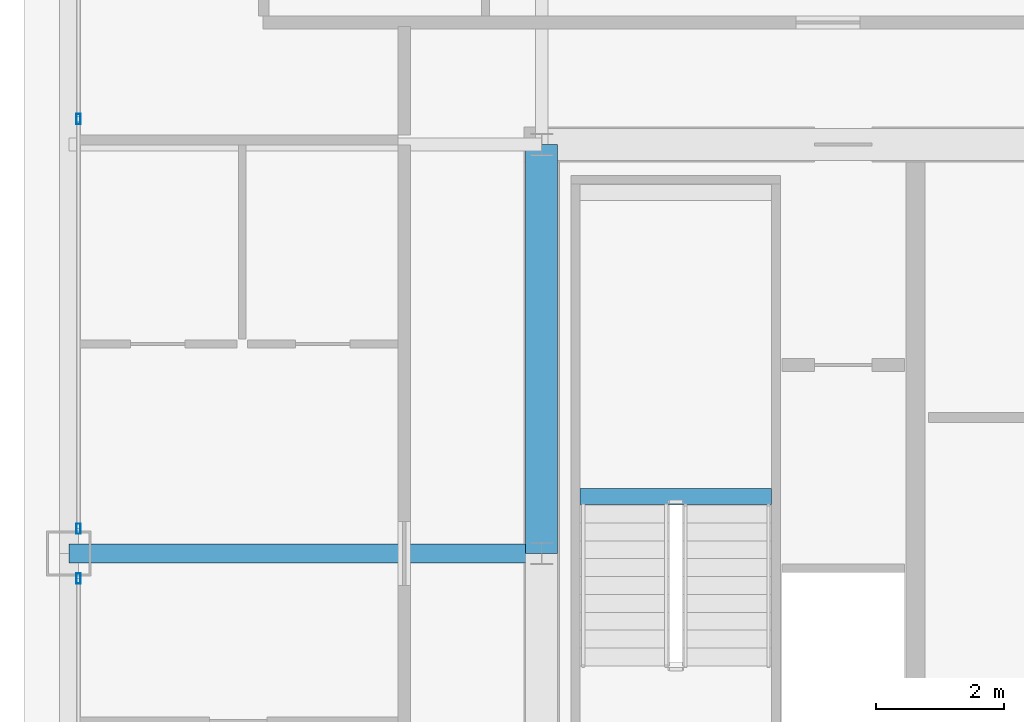
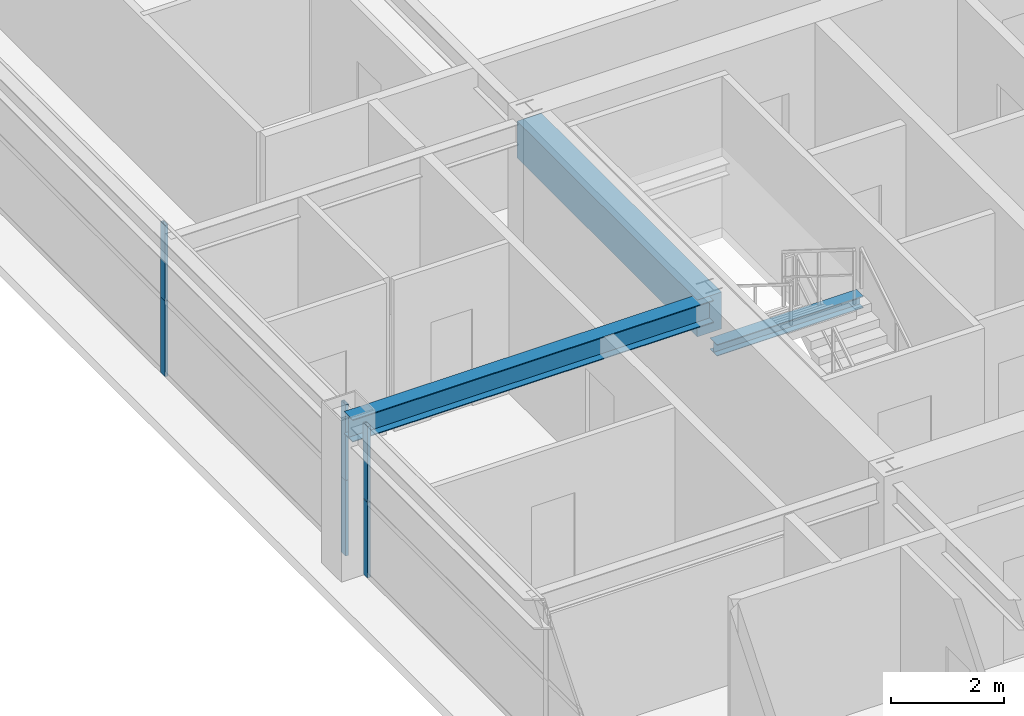
# One storey, part 12 of 35: 6 members, 3 beams, 2 elements without a shape of their own.
"""IFC4 building model written with IfcOpenShell, lengths in metres."""

import ifcopenshell
import ifcopenshell.guid

model = None  # the IFC model being written
_history = None  # IfcOwnerHistory: only IFC2X3 demands one
_inside = {}  # id of a spatial element -> (the spatial element, [elements in it])
_under = {}  # id of a project, library or spatial element -> (it, [spatial elements below it])
_declared = {}  # id of a project -> (the project, [libraries it declares])
_typed = {}  # id of a type object -> (the type object, [elements of that type])
_made_of = {}  # id of a material, layer set ... -> (it, [elements and type objects made of it])


def new_model(schema):
    """Start an empty IFC model of exactly this schema.

    Asked for "IFC4X3", IfcOpenShell would pick the latest addendum, in which some entities
    have other attributes; the version numbers below select the first issue.
    IFC2X3 requires an IfcOwnerHistory on every rooted entity: one is made here for all.
    """
    global model, _history
    if schema == "IFC4X3":
        model = ifcopenshell.file(schema_version=(4, 3, 0, 0))
    else:
        model = ifcopenshell.file(schema=schema)
    _inside.clear()
    _under.clear()
    _declared.clear()
    _typed.clear()
    _made_of.clear()
    _history = None
    if model.schema == "IFC2X3":
        org = make("IfcOrganization", Name="unknown")
        user = make(
            "IfcPersonAndOrganization",
            ThePerson=make("IfcPerson", FamilyName="unknown"),
            TheOrganization=org,
        )
        app = make(
            "IfcApplication",
            ApplicationDeveloper=org,
            Version="unknown",
            ApplicationFullName="unknown",
            ApplicationIdentifier="unknown",
        )
        _history = make(
            "IfcOwnerHistory",
            OwningUser=user,
            OwningApplication=app,
            ChangeAction="ADDED",
            CreationDate=0,
        )
    return model


def make(cls, **values):
    """One entity of the class cls with the attributes given. An attribute that is None is left unset."""
    return model.create_entity(
        cls, **{name: value for name, value in values.items() if value is not None}
    )


def rooted(cls, **values):
    """An entity with a GlobalId (a new one), such as an element, a storey or a relation."""
    return make(cls, GlobalId=ifcopenshell.guid.new(), OwnerHistory=_history, **values)


def si_unit(unit_type, name, prefix=None):
    """IfcSIUnit, for example si_unit("LENGTHUNIT", "METRE", prefix="MILLI")."""
    return make("IfcSIUnit", UnitType=unit_type, Prefix=prefix, Name=name)


def assignment(units):
    """IfcUnitAssignment: the units of a project."""
    return None if units is None else make("IfcUnitAssignment", Units=units)


def point(xyz):
    """IfcCartesianPoint."""
    return None if xyz is None else make("IfcCartesianPoint", Coordinates=xyz)


def direction(xyz):
    """IfcDirection."""
    return None if xyz is None else make("IfcDirection", DirectionRatios=xyz)


def frame(location, z_axis=None, x_axis=None):
    """IfcAxis2Placement3D, a coordinate frame: its origin and axes. An axis left out is left unset."""
    return make(
        "IfcAxis2Placement3D",
        Location=point(location),
        Axis=direction(z_axis),
        RefDirection=direction(x_axis),
    )


def frame_2d(location, x_axis=None):
    """IfcAxis2Placement2D, a coordinate frame in the plane: its origin and x axis."""
    return make(
        "IfcAxis2Placement2D", Location=point(location), RefDirection=direction(x_axis)
    )


def origin():
    """The frame at (0, 0, 0) with its axes left unset."""
    return frame((0.0, 0.0, 0.0))


def origin_2d():
    """The frame at (0, 0) in the plane with its x axis left unset."""
    return frame_2d((0.0, 0.0))


def place(relative_to, where):
    """IfcLocalPlacement: puts the frame where relative to a parent placement (None: the world)."""
    return make(
        "IfcLocalPlacement", PlacementRelTo=relative_to, RelativePlacement=where
    )


def context(
    kind, dimensions, precision=None, world=None, true_north=None, identifier=None
):
    """IfcGeometricRepresentationContext, for example the 3D "Model" context."""
    return make(
        "IfcGeometricRepresentationContext",
        ContextIdentifier=identifier,
        ContextType=kind,
        CoordinateSpaceDimension=dimensions,
        Precision=precision,
        WorldCoordinateSystem=world,
        TrueNorth=true_north,
    )


def subcontext(parent, identifier, kind, view, scale=None):
    """IfcGeometricRepresentationSubContext, for example "Body" below "Model"."""
    return make(
        "IfcGeometricRepresentationSubContext",
        ContextIdentifier=identifier,
        ContextType=kind,
        ParentContext=parent,
        TargetScale=scale,
        TargetView=view,
    )


def project(units=None, contexts=None):
    """IfcProject with its units and contexts."""
    return rooted(
        "IfcProject",
        Name="project",
        RepresentationContexts=contexts,
        UnitsInContext=assignment(units),
    )


def spatial(cls, under=None, at=None, **own):
    """A site, building, storey or space (cls), placed at a placement, below another one or the project."""
    s = rooted(cls, ObjectPlacement=at, **own)
    if under is not None:
        _under.setdefault(under.id(), (under, []))[1].append(s)
    return s


def profile(cls, at=None, kind="AREA", **sizes):
    """A parametric profile (cls). Its sizes go by their IFC names, for example OverallWidth=200.0."""
    return make(cls, ProfileType=kind, Position=at, **sizes)


def rectangle(**sizes):
    """IfcRectangleProfileDef."""
    return profile("IfcRectangleProfileDef", **sizes)


def hollow_rectangle(**sizes):
    """IfcRectangleHollowProfileDef."""
    return profile("IfcRectangleHollowProfileDef", **sizes)


def i_section(**sizes):
    """IfcIShapeProfileDef."""
    return profile("IfcIShapeProfileDef", **sizes)


def extrude(swept, where, along, depth):
    """IfcExtrudedAreaSolid: the profile swept, set in the frame where, extruded along a direction by depth."""
    return make(
        "IfcExtrudedAreaSolid",
        SweptArea=swept,
        Position=where,
        ExtrudedDirection=direction(along),
        Depth=depth,
    )


def shape(context_of_items, identifier, shape_type, items):
    """IfcShapeRepresentation: the items that make up one representation, for example the "Body"."""
    return make(
        "IfcShapeRepresentation",
        ContextOfItems=context_of_items,
        RepresentationIdentifier=identifier,
        RepresentationType=shape_type,
        Items=items,
    )


def source(mapping_origin, context_of_items, identifier, shape_type, items):
    """IfcRepresentationMap: a shape defined once, which mapped items show again and again."""
    return make(
        "IfcRepresentationMap",
        MappingOrigin=mapping_origin,
        MappedRepresentation=shape(context_of_items, identifier, shape_type, items),
    )


def transform(
    local_origin,
    x_axis=None,
    y_axis=None,
    z_axis=None,
    scale=None,
    scale2=None,
    scale3=None,
    uniform=True,
):
    """IfcCartesianTransformationOperator3D, or its non-uniform kind. x_axis, y_axis, z_axis: its Axis1, 2, 3."""
    if uniform:
        return make(
            "IfcCartesianTransformationOperator3D",
            Axis1=direction(x_axis),
            Axis2=direction(y_axis),
            LocalOrigin=point(local_origin),
            Scale=scale,
            Axis3=direction(z_axis),
        )
    return make(
        "IfcCartesianTransformationOperator3DnonUniform",
        Axis1=direction(x_axis),
        Axis2=direction(y_axis),
        LocalOrigin=point(local_origin),
        Scale=scale,
        Axis3=direction(z_axis),
        Scale2=scale2,
        Scale3=scale3,
    )


def mapped(mapping_source, mapping_target):
    """IfcMappedItem: shows the shape of a source again, moved by a transform."""
    return make(
        "IfcMappedItem", MappingSource=mapping_source, MappingTarget=mapping_target
    )


def material(Name=None, Category=None):
    """IfcMaterial."""
    return make("IfcMaterial", Name=Name, Category=Category)


def layer(
    of_material, thickness, ventilated=None, Name=None, Category=None, Priority=None
):
    """IfcMaterialLayer: one layer of a wall or slab, of a material (None: an air gap)."""
    return make(
        "IfcMaterialLayer",
        Material=of_material,
        LayerThickness=thickness,
        IsVentilated=ventilated,
        Name=Name,
        Category=Category,
        Priority=Priority,
    )


def layer_set(layers, Name=None):
    """IfcMaterialLayerSet."""
    return make("IfcMaterialLayerSet", MaterialLayers=layers, LayerSetName=Name)


def material_profile(
    of_material, cross_section, Name=None, Category=None, Priority=None
):
    """IfcMaterialProfile: a cross section and its material."""
    return make(
        "IfcMaterialProfile",
        Name=Name,
        Material=of_material,
        Profile=cross_section,
        Priority=Priority,
        Category=Category,
    )


def profile_set(profiles, Name=None, composite=None):
    """IfcMaterialProfileSet."""
    return make(
        "IfcMaterialProfileSet",
        Name=Name,
        MaterialProfiles=profiles,
        CompositeProfile=composite,
    )


def made_of(thing, what):
    """Note that an element or type object is made of a material, layer set ...; save() writes the relation."""
    if what is not None:
        _made_of.setdefault(what.id(), (what, []))[1].append(thing)
    return thing


def type_object(cls, material=None, **own):
    """A type object (cls), such as IfcWallType, which elements share."""
    return made_of(rooted(cls, **own), material)


def element(
    cls,
    number,
    at=None,
    inside=None,
    cuts=None,
    type_object=None,
    material=None,
    context=None,
    identifier="Body",
    shape_type=None,
    held_by="IfcProductDefinitionShape",
    body=None,
    shapes=None,
    **own,
):
    """One element of the class cls, such as IfcWall. Its Tag is "e" and its number.

    at: its placement. inside: the storey or other place that contains it. cuts: it is an
    opening in that element (IfcRelVoidsElement). A single representation is given by context,
    identifier, shape_type and body (its items); several are given by shapes. held_by: the class
    of the entity that holds the representations. save() writes the other relations.
    """
    e = rooted(cls, Tag="e%d" % number, ObjectPlacement=at, **own)
    if body is not None:
        shapes = [shape(context, identifier, shape_type, body)]
    if shapes is not None:
        e.Representation = make(held_by, Representations=shapes)
    if inside is not None:
        _inside.setdefault(inside.id(), (inside, []))[1].append(e)
    if cuts is not None:
        rooted(
            "IfcRelVoidsElement", RelatingBuildingElement=cuts, RelatedOpeningElement=e
        )
    if type_object is not None:
        _typed.setdefault(type_object.id(), (type_object, []))[1].append(e)
    return made_of(e, material)


def aggregate(whole, parts):
    """IfcRelAggregates: a whole, such as a stair, and the parts it consists of."""
    return rooted("IfcRelAggregates", RelatingObject=whole, RelatedObjects=parts)


def save(model, path):
    """Write the relations noted so far, then the file.

    IfcRelAggregates (storeys below a building ...), IfcRelContainedInSpatialStructure (elements
    in a storey), IfcRelDefinesByType, IfcRelAssociatesMaterial and IfcRelDeclares: one each for
    every whole, place, type object, material and project.
    """
    for whole, parts in _under.values():
        aggregate(whole, parts)
    for where, things in _inside.values():
        rooted(
            "IfcRelContainedInSpatialStructure",
            RelatedElements=things,
            RelatingStructure=where,
        )
    for kind, things in _typed.values():
        rooted("IfcRelDefinesByType", RelatedObjects=things, RelatingType=kind)
    for what, things in _made_of.values():
        rooted("IfcRelAssociatesMaterial", RelatedObjects=things, RelatingMaterial=what)
    for by, libraries in _declared.values():
        rooted("IfcRelDeclares", RelatingContext=by, RelatedDefinitions=libraries)
    model.write(path)


model = new_model("IFC4")

# Units and contexts
model_context = context("Model", 3, precision=1e-05, world=origin(), true_north=direction((0.0, 1.0)))
body_context = subcontext(model_context, "Body", "Model", "MODEL_VIEW")
ifc_project = project(units=[si_unit("LENGTHUNIT", "METRE"), si_unit("AREAUNIT", "SQUARE_METRE"), si_unit("VOLUMEUNIT", "CUBIC_METRE"), si_unit("PLANEANGLEUNIT", "RADIAN"), si_unit("MASSUNIT", "GRAM", prefix="KILO"), si_unit("THERMODYNAMICTEMPERATUREUNIT", "KELVIN"), si_unit("POWERUNIT", "WATT")], contexts=[model_context])

# Site, building, storey
site_placement = place(None, origin())
site = spatial("IfcSite", under=ifc_project, at=site_placement, CompositionType="ELEMENT")
building_placement = place(site_placement, origin())
building = spatial("IfcBuilding", under=site, at=building_placement, Name="Yuzanri Waterfront Tower", CompositionType="ELEMENT")
storey_placement = place(building_placement, frame((0.0, 0.0, 271.60009765625)))
storey = spatial("IfcBuildingStorey", under=building, at=storey_placement, Name="L72", CompositionType="ELEMENT", Elevation=271.60009765625)

# Beams
ifc_material_1 = material(Name="Concrete C50", Category="concrete")
ifc_material_profile_1 = material_profile(ifc_material_1, rectangle(XDim=0.5, YDim=0.800048828125, at=origin_2d()), Name="RC 500x800")
ifc_profile_set_1 = profile_set([ifc_material_profile_1], Name="Concrete C50")
beam_type_1 = type_object("IfcBeamType", Name="Core Coupling Lintel Concrete C50 500x800", PredefinedType="LINTEL", material=ifc_profile_set_1)
shared_shape_1 = source(origin(), body_context, "Body", "SweptSolid", [
    extrude(rectangle(XDim=0.5, YDim=0.800048828125, at=origin_2d()), origin(), (0.0, 0.0, 1.0), 6.39990234375),
])
beam_1_placement = place(storey_placement, frame((23.800048828125, 25.800048828125, 2.8798828125), z_axis=(0.0, 1.0, 0.0), x_axis=(-1.0, 0.0, 0.0)))
element("IfcBeam", 1, at=beam_1_placement, inside=storey, type_object=beam_type_1, Name="L72 Core Tie Beam CW2", PredefinedType="LINTEL", context=body_context, shape_type="MappedRepresentation", body=[
    mapped(shared_shape_1, transform((0.0, 0.0, 0.0), scale=1.0)),
])
ifc_material_2 = material(Name="Steel Q355B", Category="steel")
ifc_material_profile_2 = material_profile(ifc_material_2, i_section(OverallWidth=0.300048828125, OverallDepth=0.488037109375, WebThickness=0.010986328125, FlangeThickness=0.01806640625, at=origin_2d()), Name="HM 488x300x11x18")
ifc_profile_set_2 = profile_set([ifc_material_profile_2], Name="Steel Q355B")
beam_type_2 = type_object("IfcBeamType", Name="Primary Floor Girder Q355B HM 488x300", PredefinedType="BEAM", material=ifc_profile_set_2)
shared_shape_2 = source(origin(), body_context, "Body", "SweptSolid", [
    extrude(i_section(OverallWidth=0.300048828125, OverallDepth=0.488037109375, WebThickness=0.010986328125, FlangeThickness=0.01806640625, at=origin_2d()), origin(), (0.0, 0.0, 1.0), 7.400146484375),
])
beam_2_placement = place(storey_placement, frame((23.800048828125, 25.800048828125, 3.035888671875), z_axis=(-1.0, 0.0, 0.0), x_axis=(0.0, -1.0, 0.0)))
element("IfcBeam", 2, at=beam_2_placement, inside=storey, type_object=beam_type_2, Name="L72 West Grid Girder", PredefinedType="BEAM", context=body_context, shape_type="MappedRepresentation", body=[
    mapped(shared_shape_2, transform((0.0, 0.0, 0.0), scale=1.0)),
])

# Curtain wall, members
ifc_material_3 = material(Name="Anodized Architectural Bronze", Category="metal")
ifc_layer = layer(ifc_material_3, 0.159912109375)
ifc_layer_set = layer_set([ifc_layer], Name="Anodized Architectural Bronze")
curtain_wall_type = type_object("IfcCurtainWallType", Name="Anodized Bronze Mid-Rise Residential Acoustic Unitized Curtain Wall 7200", PredefinedType="NOTDEFINED", material=ifc_layer_set)
curtain_wall_1_placement = place(storey_placement, origin())
curtain_wall_1 = element("IfcCurtainWall", 3, at=curtain_wall_1_placement, inside=storey, type_object=curtain_wall_type, Name="L72 Curtain Wall CW-L72-WL", PredefinedType="NOTDEFINED")
ifc_material_4 = material(Name="Anodized Architectural Bronze", Category="metal")
ifc_material_profile_3 = material_profile(ifc_material_4, hollow_rectangle(XDim=0.06494140625, YDim=0.159912109375, WallThickness=0.00341796875, at=origin_2d()), Name="CWM 65x160")
ifc_profile_set_3 = profile_set([ifc_material_profile_3], Name="Anodized Architectural Bronze")
member_type = type_object("IfcMemberType", Name="Anodized Bronze Upper-Zone Curtain-Wall Mullion 65x160", PredefinedType="MULLION", material=ifc_profile_set_3)
shared_shape_3 = source(origin(), body_context, "Body", "SweptSolid", [
    extrude(hollow_rectangle(XDim=0.06494140625, YDim=0.159912109375, WallThickness=0.00341796875, at=origin_2d()), origin(), (0.0, 0.0, 1.0), 1.637939453125),
])
member_1_placement = place(storey_placement, frame((16.550048828125, 25.409912109375, 0.0), z_axis=(0.0, 0.0, 1.0), x_axis=(1.0, 0.0, 0.0)))
member_1 = element("IfcMember", 4, at=member_1_placement, type_object=member_type, Name="CW-L72-WL Lower Mullion 02", PredefinedType="MULLION", context=body_context, shape_type="MappedRepresentation", body=[
    mapped(shared_shape_3, transform((0.0, 0.0, 0.0), scale=1.0)),
])
member_2_placement = place(storey_placement, frame((16.550048828125, 25.409912109375, 1.641845703125), z_axis=(0.0, 0.0, 1.0), x_axis=(1.0, 0.0, 0.0)))
member_2 = element("IfcMember", 5, at=member_2_placement, type_object=member_type, Name="CW-L72-WL Upper Mullion 02", PredefinedType="MULLION", context=body_context, shape_type="MappedRepresentation", body=[
    mapped(shared_shape_3, transform((0.0, 0.0, 0.0), scale=1.0)),
])
aggregate(curtain_wall_1, [member_1, member_2])

curtain_wall_2_placement = place(storey_placement, origin())
curtain_wall_2 = element("IfcCurtainWall", 6, at=curtain_wall_2_placement, inside=storey, type_object=curtain_wall_type, Name="L72 Curtain Wall CW-L72-WR", PredefinedType="NOTDEFINED")
member_3_placement = place(storey_placement, frame((16.550048828125, 26.18994140625, 0.0), z_axis=(0.0, 0.0, 1.0), x_axis=(1.0, 0.0, 0.0)))
member_3 = element("IfcMember", 7, at=member_3_placement, type_object=member_type, Name="CW-L72-WR Lower Mullion 00", PredefinedType="MULLION", context=body_context, shape_type="MappedRepresentation", body=[
    mapped(shared_shape_3, transform((0.0, 0.0, 0.0), scale=1.0)),
])
member_4_placement = place(storey_placement, frame((16.550048828125, 26.18994140625, 1.641845703125), z_axis=(0.0, 0.0, 1.0), x_axis=(1.0, 0.0, 0.0)))
member_4 = element("IfcMember", 8, at=member_4_placement, type_object=member_type, Name="CW-L72-WR Upper Mullion 00", PredefinedType="MULLION", context=body_context, shape_type="MappedRepresentation", body=[
    mapped(shared_shape_3, transform((0.0, 0.0, 0.0), scale=1.0)),
])
member_5_placement = place(storey_placement, frame((16.550048828125, 32.60009765625, 0.0), z_axis=(0.0, 0.0, 1.0), x_axis=(1.0, 0.0, 0.0)))
member_5 = element("IfcMember", 9, at=member_5_placement, type_object=member_type, Name="CW-L72-WR Lower Mullion 01", PredefinedType="MULLION", context=body_context, shape_type="MappedRepresentation", body=[
    mapped(shared_shape_3, transform((0.0, 0.0, 0.0), scale=1.0)),
])
member_6_placement = place(storey_placement, frame((16.550048828125, 32.60009765625, 1.641845703125), z_axis=(0.0, 0.0, 1.0), x_axis=(1.0, 0.0, 0.0)))
member_6 = element("IfcMember", 10, at=member_6_placement, type_object=member_type, Name="CW-L72-WR Upper Mullion 01", PredefinedType="MULLION", context=body_context, shape_type="MappedRepresentation", body=[
    mapped(shared_shape_3, transform((0.0, 0.0, 0.0), scale=1.0)),
])
aggregate(curtain_wall_2, [member_3, member_4, member_5, member_6])

# Beam
ifc_material_5 = material(Name="Steel Q355B", Category="steel")
ifc_material_profile_4 = material_profile(ifc_material_5, i_section(OverallWidth=0.25, OverallDepth=0.25, WebThickness=0.009033203125, FlangeThickness=0.013916015625, at=origin_2d()), Name="HW 250x250x9x14")
ifc_profile_set_4 = profile_set([ifc_material_profile_4], Name="Steel Q355B")
beam_type_3 = type_object("IfcBeamType", Name="Stair Landing Support Beam Q355B HW 250x250", PredefinedType="BEAM", material=ifc_profile_set_4)
shared_shape_4 = source(origin(), body_context, "Body", "SweptSolid", [
    extrude(i_section(OverallWidth=0.25, OverallDepth=0.25, WebThickness=0.009033203125, FlangeThickness=0.013916015625, at=origin_2d()), origin(), (0.0, 0.0, 1.0), 3.0),
])
beam_3_placement = place(storey_placement, frame((24.39990234375, 26.68994140625, 1.4248046875), z_axis=(1.0, 0.0, 0.0), x_axis=(0.0, 1.0, 0.0)))
element("IfcBeam", 11, at=beam_3_placement, inside=storey, type_object=beam_type_3, Name="L72 Stair Landing Support Beam ST-01-L72-L1-1", PredefinedType="BEAM", context=body_context, shape_type="MappedRepresentation", body=[
    mapped(shared_shape_4, transform((0.0, 0.0, 0.0), scale=1.0)),
])

save(model, "model.ifc")
